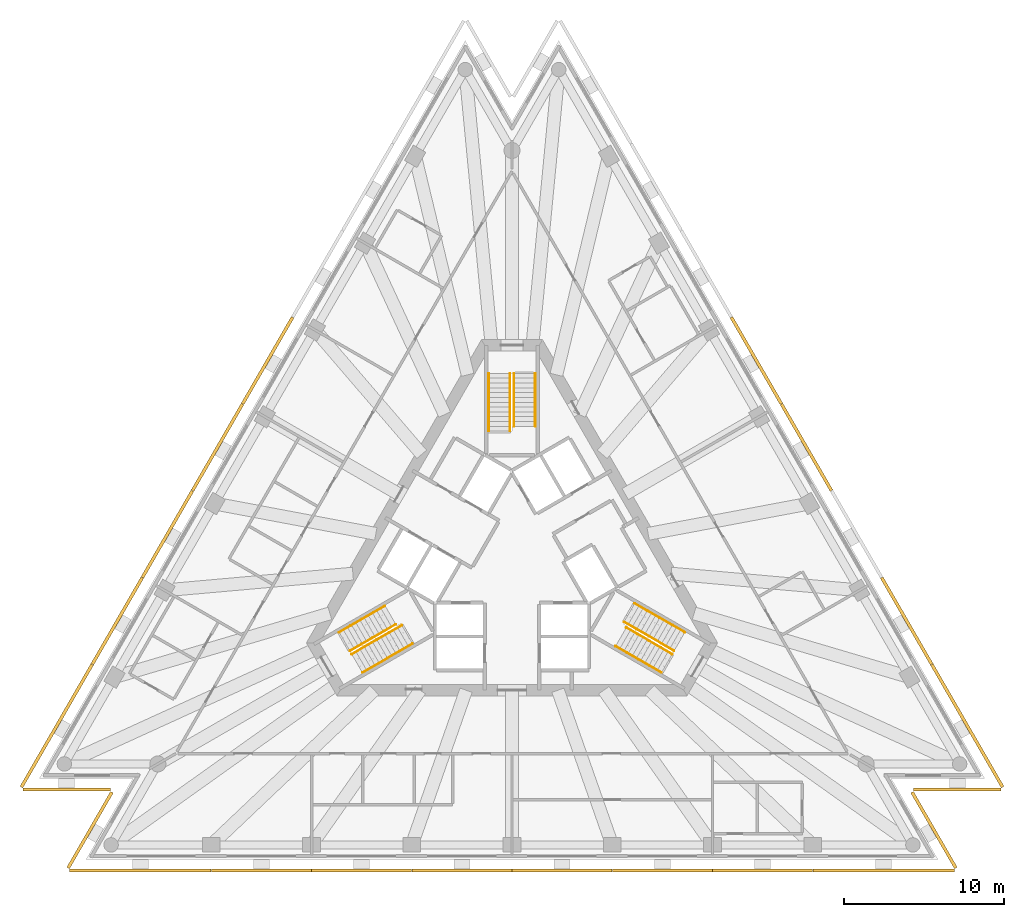
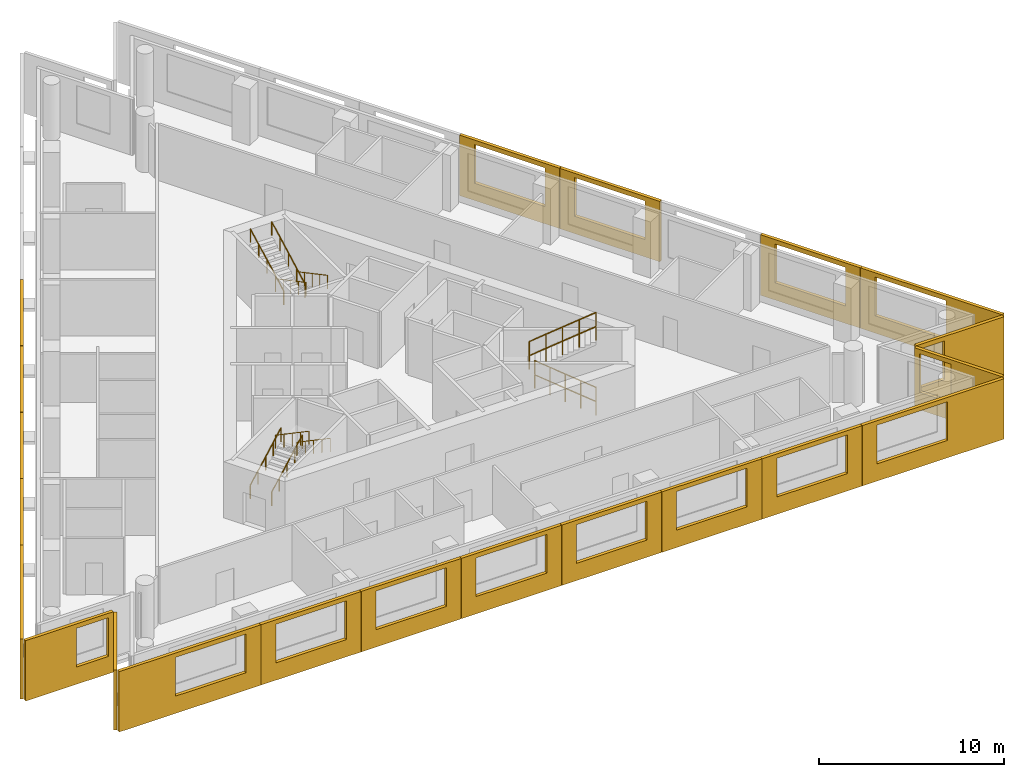
# One storey, part 9 of 10: 21 shading devices, 12 railings, 3 elements without a shape of their own.
"""IFC4 building model written with IfcOpenShell, lengths in metres."""

from ifc_helpers import new_model, si_unit, direction, frame, origin, origin_2d, place, context, subcontext, project, spatial, polyline, circle, outline, extrude, material, layer, layer_set, type_object, element, aggregate, save


model = new_model("IFC4")

# Units and contexts
model_context = context("Model", 3, precision=1e-05, world=origin(), true_north=direction((0.0, 1.0)))
body_context = subcontext(model_context, "Body", "Model", "MODEL_VIEW")
ifc_project = project(units=[si_unit("LENGTHUNIT", "METRE"), si_unit("AREAUNIT", "SQUARE_METRE"), si_unit("VOLUMEUNIT", "CUBIC_METRE"), si_unit("PLANEANGLEUNIT", "RADIAN"), si_unit("MASSUNIT", "GRAM", prefix="KILO")], contexts=[model_context])

# Site, building, storey
site_placement = place(None, origin())
site = spatial("IfcSite", under=ifc_project, at=site_placement, CompositionType="ELEMENT")
building_placement = place(site_placement, origin())
building = spatial("IfcBuilding", under=site, at=building_placement, Name="Triada Interchange Tower", CompositionType="ELEMENT")
storey_placement = place(building_placement, frame((0.0, 0.0, 199.300048828125)))
storey = spatial("IfcBuildingStorey", under=building, at=storey_placement, Name="L46", CompositionType="ELEMENT", Elevation=199.300048828125)

# Shading devices
ifc_material_1 = material(Name="Concrete C50/60 precast", Category="concrete")
ifc_layer_1 = layer(ifc_material_1, 0.02001953125, Name="Exposed aggregate face")
ifc_layer_2 = layer(ifc_material_1, 0.179931640625, Name="Precast concrete screen")
ifc_layer_set = layer_set([ifc_layer_1, ifc_layer_2], Name="Outer skin screen panel 3980")
shading_device_type = type_object("IfcShadingDeviceType", Name="Outer skin screen panel 3980", PredefinedType="SHUTTER", material=ifc_layer_set)
shading_device_1_placement = place(storey_placement, frame((-13.590087890625, 15.050048828125, -0.2900390625), z_axis=(0.0, 0.0, 1.0), x_axis=(-0.50008886669, -0.865974090497, 0.0)))
element("IfcShadingDevice", 1, at=shading_device_1_placement, inside=storey, type_object=shading_device_type, Name="Outer skin screen panel L46 04", PredefinedType="SHUTTER", context=body_context, shape_type="SweptSolid", body=[
    extrude(outline(polyline([(0.0, 0.0), (6.228759765625, 0.0), (6.228759765625, 3.97998046875), (0.0, 3.97998046875), (0.0, 0.0)]), holes=[polyline([(0.913818359375, 1.139892578125), (0.913818359375, 3.68994140625), (5.313720703125, 3.68994140625), (5.313720703125, 1.139892578125), (0.913818359375, 1.139892578125)])]), frame((0.0, 0.0, 0.0), z_axis=(0.0, -1.0, 0.0), x_axis=(1.0, 0.0, 0.0)), (0.0, 0.0, 1.0), 0.199951171875),
])
shading_device_2_placement = place(storey_placement, frame((-16.715087890625, 9.638916015625, -0.2900390625), z_axis=(0.0, 0.0, 1.0), x_axis=(-0.499988254918, -0.866032184704, 0.0)))
element("IfcShadingDevice", 2, at=shading_device_2_placement, inside=storey, type_object=shading_device_type, Name="Outer skin screen panel L46 05", PredefinedType="SHUTTER", context=body_context, shape_type="SweptSolid", body=[
    extrude(outline(polyline([(0.0, 0.0), (6.228271484375, 0.0), (6.228271484375, 3.97998046875), (0.0, 3.97998046875), (0.0, 0.0)]), holes=[polyline([(0.91357421875, 1.139892578125), (0.91357421875, 3.68994140625), (5.313720703125, 3.68994140625), (5.313720703125, 1.139892578125), (0.91357421875, 1.139892578125)])]), frame((0.0, 0.0, 0.0), z_axis=(0.0, -1.0, 0.0), x_axis=(1.0, 0.0, 0.0)), (0.0, 0.0, 1.0), 0.199951171875),
])
shading_device_3_placement = place(storey_placement, frame((-19.839111328125, 4.22802734375, -0.2900390625), z_axis=(0.0, 0.0, 1.0), x_axis=(-0.499941881293, -0.866058956036, 0.0)))
element("IfcShadingDevice", 3, at=shading_device_3_placement, inside=storey, type_object=shading_device_type, Name="Outer skin screen panel L46 06", PredefinedType="SHUTTER", context=body_context, shape_type="SweptSolid", body=[
    extrude(outline(polyline([(0.0, 0.0), (6.228271484375, 0.0), (6.228271484375, 3.97998046875), (0.0, 3.97998046875), (0.0, 0.0)]), holes=[polyline([(0.914306640625, 1.139892578125), (0.914306640625, 3.68994140625), (5.314208984375, 3.68994140625), (5.314208984375, 1.139892578125), (0.914306640625, 1.139892578125)])]), frame((0.0, 0.0, 0.0), z_axis=(0.0, -1.0, 0.0), x_axis=(1.0, 0.0, 0.0)), (0.0, 0.0, 1.0), 0.199951171875),
])
shading_device_4_placement = place(storey_placement, frame((-22.962890625, -1.18310546875, -0.2900390625), z_axis=(0.0, 0.0, 1.0), x_axis=(-0.499988254918, -0.866032184704, 0.0)))
element("IfcShadingDevice", 4, at=shading_device_4_placement, inside=storey, type_object=shading_device_type, Name="Outer skin screen panel L46 07", PredefinedType="SHUTTER", context=body_context, shape_type="SweptSolid", body=[
    extrude(outline(polyline([(0.0, 0.0), (6.228271484375, 0.0), (6.228271484375, 3.97998046875), (0.0, 3.97998046875), (0.0, 0.0)]), holes=[polyline([(0.9140625, 1.139892578125), (0.9140625, 3.68994140625), (5.314208984375, 3.68994140625), (5.314208984375, 1.139892578125), (0.9140625, 1.139892578125)])]), frame((0.0, 0.0, 0.0), z_axis=(0.0, -1.0, 0.0), x_axis=(1.0, 0.0, 0.0)), (0.0, 0.0, 1.0), 0.199951171875),
])
shading_device_5_placement = place(storey_placement, frame((-26.0869140625, -6.593994140625, -0.2900390625), z_axis=(0.0, 0.0, 1.0), x_axis=(-0.499982637805, -0.86603542762, 0.0)))
element("IfcShadingDevice", 5, at=shading_device_5_placement, inside=storey, type_object=shading_device_type, Name="Outer skin screen panel L46 08", PredefinedType="SHUTTER", context=body_context, shape_type="SweptSolid", body=[
    extrude(outline(polyline([(0.0, 0.0), (8.826416015625, 0.0), (8.826416015625, 3.97998046875), (0.0, 3.97998046875), (0.0, 0.0)]), holes=[polyline([(0.913818359375, 1.139892578125), (0.913818359375, 3.68994140625), (5.31396484375, 3.68994140625), (5.31396484375, 1.139892578125), (0.913818359375, 1.139892578125)])]), frame((0.0, 0.0, 0.0), z_axis=(0.0, -1.0, 0.0), x_axis=(1.0, 0.0, 0.0)), (0.0, 0.0, 1.0), 0.199951171875),
])
shading_device_6_placement = place(storey_placement, frame((-30.4951171875, -14.2470703125, -0.2900390625), z_axis=(0.0, 0.0, 1.0), x_axis=(1.0, 0.0, 0.0)))
element("IfcShadingDevice", 6, at=shading_device_6_placement, inside=storey, type_object=shading_device_type, Name="Outer skin screen panel L46 09", PredefinedType="SHUTTER", context=body_context, shape_type="SweptSolid", body=[
    extrude(outline(polyline([(0.0, 0.0), (5.461181640625, 0.0), (5.461181640625, 3.97998046875), (0.0, 3.97998046875), (0.0, 0.0)]), holes=[polyline([(3.175048828125, 1.139892578125), (3.175048828125, 3.68994140625), (5.160888671875, 3.68994140625), (5.160888671875, 1.139892578125), (3.175048828125, 1.139892578125)])]), frame((0.0, 0.0, 0.0), z_axis=(0.0, -1.0, 0.0), x_axis=(1.0, 0.0, 0.0)), (0.0, 0.0, 1.0), 0.199951171875),
])
shading_device_7_placement = place(storey_placement, frame((-24.85498046875, -14.555908203125, -0.2900390625), z_axis=(0.0, 0.0, 1.0), x_axis=(-0.500013942463, -0.86601735395, 0.0)))
element("IfcShadingDevice", 7, at=shading_device_7_placement, inside=storey, type_object=shading_device_type, Name="Outer skin screen panel L46 10", PredefinedType="SHUTTER", context=body_context, shape_type="SweptSolid", body=[
    extrude(outline(polyline([(0.0, 0.0), (5.461669921875, 0.0), (5.461669921875, 3.97998046875), (0.0, 3.97998046875), (0.0, 0.0)]), holes=[polyline([(0.300048828125, 1.139892578125), (0.300048828125, 3.68994140625), (1.758056640625, 3.68994140625), (1.758056640625, 1.139892578125), (0.300048828125, 1.139892578125)])]), frame((0.0, 0.0, 0.0), z_axis=(0.0, -1.0, 0.0), x_axis=(1.0, 0.0, 0.0)), (0.0, 0.0, 1.0), 0.199951171875),
])
shading_device_8_placement = place(storey_placement, frame((-27.5810546875, -19.294921875, -0.2900390625), z_axis=(0.0, 0.0, 1.0), x_axis=(1.0, 0.0, 0.0)))
element("IfcShadingDevice", 8, at=shading_device_8_placement, inside=storey, type_object=shading_device_type, Name="Outer skin screen panel L46 11", PredefinedType="SHUTTER", context=body_context, shape_type="SweptSolid", body=[
    extrude(outline(polyline([(0.0, 0.0), (8.826171875, 0.0), (8.826171875, 3.97998046875), (0.0, 3.97998046875), (0.0, 0.0)]), holes=[polyline([(3.511962890625, 1.139892578125), (3.511962890625, 3.68994140625), (7.912109375, 3.68994140625), (7.912109375, 1.139892578125), (3.511962890625, 1.139892578125)])]), frame((0.0, 0.0, 0.0), z_axis=(0.0, -1.0, 0.0), x_axis=(1.0, 0.0, 0.0)), (0.0, 0.0, 1.0), 0.199951171875),
])
shading_device_9_placement = place(storey_placement, frame((-18.735107421875, -19.294921875, -0.2900390625), z_axis=(0.0, 0.0, 1.0), x_axis=(1.0, 0.0, 0.0)))
element("IfcShadingDevice", 9, at=shading_device_9_placement, inside=storey, type_object=shading_device_type, Name="Outer skin screen panel L46 12", PredefinedType="SHUTTER", context=body_context, shape_type="SweptSolid", body=[
    extrude(outline(polyline([(0.0, 0.0), (6.22900390625, 0.0), (6.22900390625, 3.97998046875), (0.0, 3.97998046875), (0.0, 0.0)]), holes=[polyline([(0.913818359375, 1.139892578125), (0.913818359375, 3.68994140625), (5.313720703125, 3.68994140625), (5.313720703125, 1.139892578125), (0.913818359375, 1.139892578125)])]), frame((0.0, 0.0, 0.0), z_axis=(0.0, -1.0, 0.0), x_axis=(1.0, 0.0, 0.0)), (0.0, 0.0, 1.0), 0.199951171875),
])
shading_device_10_placement = place(storey_placement, frame((-12.486083984375, -19.294921875, -0.2900390625), z_axis=(0.0, 0.0, 1.0), x_axis=(1.0, 0.0, 0.0)))
element("IfcShadingDevice", 10, at=shading_device_10_placement, inside=storey, type_object=shading_device_type, Name="Outer skin screen panel L46 13", PredefinedType="SHUTTER", context=body_context, shape_type="SweptSolid", body=[
    extrude(outline(polyline([(0.0, 0.0), (6.22802734375, 0.0), (6.22802734375, 3.97998046875), (0.0, 3.97998046875), (0.0, 0.0)]), holes=[polyline([(0.91455078125, 1.139892578125), (0.91455078125, 3.68994140625), (5.314453125, 3.68994140625), (5.314453125, 1.139892578125), (0.91455078125, 1.139892578125)])]), frame((0.0, 0.0, 0.0), z_axis=(0.0, -1.0, 0.0), x_axis=(1.0, 0.0, 0.0)), (0.0, 0.0, 1.0), 0.199951171875),
])
shading_device_11_placement = place(storey_placement, frame((-6.238037109375, -19.294921875, -0.2900390625), z_axis=(0.0, 0.0, 1.0), x_axis=(1.0, 0.0, 0.0)))
element("IfcShadingDevice", 11, at=shading_device_11_placement, inside=storey, type_object=shading_device_type, Name="Outer skin screen panel L46 14", PredefinedType="SHUTTER", context=body_context, shape_type="SweptSolid", body=[
    extrude(outline(polyline([(0.0, 0.0), (6.22802734375, 0.0), (6.22802734375, 3.97998046875), (0.0, 3.97998046875), (0.0, 0.0)]), holes=[polyline([(0.914306640625, 1.139892578125), (0.914306640625, 3.68994140625), (5.314208984375, 3.68994140625), (5.314208984375, 1.139892578125), (0.914306640625, 1.139892578125)])]), frame((0.0, 0.0, 0.0), z_axis=(0.0, -1.0, 0.0), x_axis=(1.0, 0.0, 0.0)), (0.0, 0.0, 1.0), 0.199951171875),
])
shading_device_12_placement = place(storey_placement, frame((0.010009765625, -19.294921875, -0.2900390625), z_axis=(0.0, 0.0, 1.0), x_axis=(1.0, 0.0, 0.0)))
element("IfcShadingDevice", 12, at=shading_device_12_placement, inside=storey, type_object=shading_device_type, Name="Outer skin screen panel L46 15", PredefinedType="SHUTTER", context=body_context, shape_type="SweptSolid", body=[
    extrude(outline(polyline([(0.0, 0.0), (6.22802734375, 0.0), (6.22802734375, 3.97998046875), (0.0, 3.97998046875), (0.0, 0.0)]), holes=[polyline([(0.9140625, 1.139892578125), (0.9140625, 3.68994140625), (5.31396484375, 3.68994140625), (5.31396484375, 1.139892578125), (0.9140625, 1.139892578125)])]), frame((0.0, 0.0, 0.0), z_axis=(0.0, -1.0, 0.0), x_axis=(1.0, 0.0, 0.0)), (0.0, 0.0, 1.0), 0.199951171875),
])
shading_device_13_placement = place(storey_placement, frame((6.258056640625, -19.294921875, -0.2900390625), z_axis=(0.0, 0.0, 1.0), x_axis=(1.0, 0.0, 0.0)))
element("IfcShadingDevice", 13, at=shading_device_13_placement, inside=storey, type_object=shading_device_type, Name="Outer skin screen panel L46 16", PredefinedType="SHUTTER", context=body_context, shape_type="SweptSolid", body=[
    extrude(outline(polyline([(0.0, 0.0), (6.22900390625, 0.0), (6.22900390625, 3.97998046875), (0.0, 3.97998046875), (0.0, 0.0)]), holes=[polyline([(0.913818359375, 1.139892578125), (0.913818359375, 3.68994140625), (5.313720703125, 3.68994140625), (5.313720703125, 1.139892578125), (0.913818359375, 1.139892578125)])]), frame((0.0, 0.0, 0.0), z_axis=(0.0, -1.0, 0.0), x_axis=(1.0, 0.0, 0.0)), (0.0, 0.0, 1.0), 0.199951171875),
])
shading_device_14_placement = place(storey_placement, frame((12.507080078125, -19.294921875, -0.2900390625), z_axis=(0.0, 0.0, 1.0), x_axis=(1.0, 0.0, 0.0)))
element("IfcShadingDevice", 14, at=shading_device_14_placement, inside=storey, type_object=shading_device_type, Name="Outer skin screen panel L46 17", PredefinedType="SHUTTER", context=body_context, shape_type="SweptSolid", body=[
    extrude(outline(polyline([(0.0, 0.0), (6.22802734375, 0.0), (6.22802734375, 3.97998046875), (0.0, 3.97998046875), (0.0, 0.0)]), holes=[polyline([(0.91455078125, 1.139892578125), (0.91455078125, 3.68994140625), (5.314453125, 3.68994140625), (5.314453125, 1.139892578125), (0.91455078125, 1.139892578125)])]), frame((0.0, 0.0, 0.0), z_axis=(0.0, -1.0, 0.0), x_axis=(1.0, 0.0, 0.0)), (0.0, 0.0, 1.0), 0.199951171875),
])
shading_device_15_placement = place(storey_placement, frame((18.7548828125, -19.294921875, -0.2900390625), z_axis=(0.0, 0.0, 1.0), x_axis=(1.0, 0.0, 0.0)))
element("IfcShadingDevice", 15, at=shading_device_15_placement, inside=storey, type_object=shading_device_type, Name="Outer skin screen panel L46 18", PredefinedType="SHUTTER", context=body_context, shape_type="SweptSolid", body=[
    extrude(outline(polyline([(0.0, 0.0), (8.826171875, 0.0), (8.826171875, 3.97998046875), (0.0, 3.97998046875), (0.0, 0.0)]), holes=[polyline([(0.914306640625, 1.139892578125), (0.914306640625, 3.68994140625), (5.314208984375, 3.68994140625), (5.314208984375, 1.139892578125), (0.914306640625, 1.139892578125)])]), frame((0.0, 0.0, 0.0), z_axis=(0.0, -1.0, 0.0), x_axis=(1.0, 0.0, 0.0)), (0.0, 0.0, 1.0), 0.199951171875),
])
shading_device_16_placement = place(storey_placement, frame((27.5859375, -19.285888671875, -0.2900390625), z_axis=(0.0, 0.0, 1.0), x_axis=(-0.500013942463, 0.86601735395, 0.0)))
element("IfcShadingDevice", 16, at=shading_device_16_placement, inside=storey, type_object=shading_device_type, Name="Outer skin screen panel L46 19", PredefinedType="SHUTTER", context=body_context, shape_type="SweptSolid", body=[
    extrude(outline(polyline([(0.0, 0.0), (5.461669921875, 0.0), (5.461669921875, 3.97998046875), (0.0, 3.97998046875), (0.0, 0.0)]), holes=[polyline([(3.17529296875, 1.139892578125), (3.17529296875, 3.68994140625), (5.162109375, 3.68994140625), (5.162109375, 1.139892578125), (3.17529296875, 1.139892578125)])]), frame((0.0, 0.0, 0.0), z_axis=(0.0, -1.0, 0.0), x_axis=(1.0, 0.0, 0.0)), (0.0, 0.0, 1.0), 0.199951171875),
])
shading_device_17_placement = place(storey_placement, frame((25.033935546875, -14.2470703125, -0.2900390625), z_axis=(0.0, 0.0, 1.0), x_axis=(1.0, 0.0, 0.0)))
element("IfcShadingDevice", 17, at=shading_device_17_placement, inside=storey, type_object=shading_device_type, Name="Outer skin screen panel L46 20", PredefinedType="SHUTTER", context=body_context, shape_type="SweptSolid", body=[
    extrude(outline(polyline([(0.0, 0.0), (5.461181640625, 0.0), (5.461181640625, 3.97998046875), (0.0, 3.97998046875), (0.0, 0.0)]), holes=[polyline([(0.300048828125, 1.139892578125), (0.300048828125, 3.68994140625), (1.758056640625, 3.68994140625), (1.758056640625, 1.139892578125), (0.300048828125, 1.139892578125)])]), frame((0.0, 0.0, 0.0), z_axis=(0.0, -1.0, 0.0), x_axis=(1.0, 0.0, 0.0)), (0.0, 0.0, 1.0), 0.199951171875),
])
shading_device_18_placement = place(storey_placement, frame((30.5, -14.238037109375, -0.2900390625), z_axis=(0.0, 0.0, 1.0), x_axis=(-0.499982637805, 0.86603542762, 0.0)))
element("IfcShadingDevice", 18, at=shading_device_18_placement, inside=storey, type_object=shading_device_type, Name="Outer skin screen panel L46 21", PredefinedType="SHUTTER", context=body_context, shape_type="SweptSolid", body=[
    extrude(outline(polyline([(0.0, 0.0), (8.826416015625, 0.0), (8.826416015625, 3.97998046875), (0.0, 3.97998046875), (0.0, 0.0)]), holes=[polyline([(3.51220703125, 1.139892578125), (3.51220703125, 3.68994140625), (7.912353515625, 3.68994140625), (7.912353515625, 1.139892578125), (3.51220703125, 1.139892578125)])]), frame((0.0, 0.0, 0.0), z_axis=(0.0, -1.0, 0.0), x_axis=(1.0, 0.0, 0.0)), (0.0, 0.0, 1.0), 0.199951171875),
])
shading_device_19_placement = place(storey_placement, frame((26.076904296875, -6.576904296875, -0.2900390625), z_axis=(0.0, 0.0, 1.0), x_axis=(-0.499988254918, 0.866032184704, 0.0)))
element("IfcShadingDevice", 19, at=shading_device_19_placement, inside=storey, type_object=shading_device_type, Name="Outer skin screen panel L46 22", PredefinedType="SHUTTER", context=body_context, shape_type="SweptSolid", body=[
    extrude(outline(polyline([(0.0, 0.0), (6.228271484375, 0.0), (6.228271484375, 3.97998046875), (0.0, 3.97998046875), (0.0, 0.0)]), holes=[polyline([(0.9140625, 1.139892578125), (0.9140625, 3.68994140625), (5.31396484375, 3.68994140625), (5.31396484375, 1.139892578125), (0.9140625, 1.139892578125)])]), frame((0.0, 0.0, 0.0), z_axis=(0.0, -1.0, 0.0), x_axis=(1.0, 0.0, 0.0)), (0.0, 0.0, 1.0), 0.199951171875),
])
shading_device_20_placement = place(storey_placement, frame((19.8291015625, 4.2451171875, -0.2900390625), z_axis=(0.0, 0.0, 1.0), x_axis=(-0.499988254918, 0.866032184704, 0.0)))
element("IfcShadingDevice", 20, at=shading_device_20_placement, inside=storey, type_object=shading_device_type, Name="Outer skin screen panel L46 24", PredefinedType="SHUTTER", context=body_context, shape_type="SweptSolid", body=[
    extrude(outline(polyline([(0.0, 0.0), (6.228271484375, 0.0), (6.228271484375, 3.97998046875), (0.0, 3.97998046875), (0.0, 0.0)]), holes=[polyline([(0.91455078125, 1.139892578125), (0.91455078125, 3.68994140625), (5.314453125, 3.68994140625), (5.314453125, 1.139892578125), (0.91455078125, 1.139892578125)])]), frame((0.0, 0.0, 0.0), z_axis=(0.0, -1.0, 0.0), x_axis=(1.0, 0.0, 0.0)), (0.0, 0.0, 1.0), 0.199951171875),
])
shading_device_21_placement = place(storey_placement, frame((16.705078125, 9.656005859375, -0.2900390625), z_axis=(0.0, 0.0, 1.0), x_axis=(-0.50008886669, 0.865974090497, 0.0)))
element("IfcShadingDevice", 21, at=shading_device_21_placement, inside=storey, type_object=shading_device_type, Name="Outer skin screen panel L46 25", PredefinedType="SHUTTER", context=body_context, shape_type="SweptSolid", body=[
    extrude(outline(polyline([(0.0, 0.0), (6.228759765625, 0.0), (6.228759765625, 3.97998046875), (0.0, 3.97998046875), (0.0, 0.0)]), holes=[polyline([(0.914306640625, 1.139892578125), (0.914306640625, 3.68994140625), (5.314208984375, 3.68994140625), (5.314208984375, 1.139892578125), (0.914306640625, 1.139892578125)])]), frame((0.0, 0.0, 0.0), z_axis=(0.0, -1.0, 0.0), x_axis=(1.0, 0.0, 0.0)), (0.0, 0.0, 1.0), 0.199951171875),
])

# Stair, railings
ifc_material_2 = material(Name="Concrete C35/45", Category="concrete")
stair_type = type_object("IfcStairType", Name="HALF TURN STAIR 1400", PredefinedType="HALF_TURN_STAIR", material=ifc_material_2)
stair_1_placement = place(storey_placement, origin())
stair_1 = element("IfcStair", 22, at=stair_1_placement, inside=storey, type_object=stair_type, Name="Exit stair S44-1", PredefinedType="HALF_TURN_STAIR")
ifc_material_3 = material(Name="Stainless steel 1.4301", Category="steel")
railing_type = type_object("IfcRailingType", Name="STAIR HANDRAIL 900", PredefinedType="HANDRAIL", material=ifc_material_3)
railing_1_placement = place(storey_placement, frame((1.449951171875, 11.60009765625, 0.159912109375)))
railing_1 = element("IfcRailing", 23, at=railing_1_placement, type_object=railing_type, Name="Handrail S44-1 1W", PredefinedType="HANDRAIL", context=body_context, shape_type="SweptSolid", body=[
    extrude(circle(Radius=0.02392578125, at=origin_2d()), frame((0.0, 0.0, 0.8759765625), z_axis=(0.0, -0.882354748157, 0.47058484719), x_axis=(1.0, 0.0, 0.0)), (0.0, 0.0, 1.0), 3.739990234375),
    extrude(circle(Radius=0.02099609375, at=origin_2d()), origin(), (0.0, 0.0, 1.0), 0.851806640625),
    extrude(circle(Radius=0.02099609375, at=origin_2d()), frame((0.0, -0.824951171875, 0.43994140625)), (0.0, 0.0, 1.0), 0.851806640625),
    extrude(circle(Radius=0.02099609375, at=origin_2d()), frame((0.0, -1.64990234375, 0.8798828125)), (0.0, 0.0, 1.0), 0.851806640625),
    extrude(circle(Radius=0.02099609375, at=origin_2d()), frame((0.0, -2.47509765625, 1.320068359375)), (0.0, 0.0, 1.0), 0.851806640625),
    extrude(circle(Radius=0.02099609375, at=origin_2d()), frame((0.0, -3.300048828125, 1.760009765625)), (0.0, 0.0, 1.0), 0.851806640625),
])
railing_2_placement = place(storey_placement, frame((0.1201171875, 11.60009765625, 0.159912109375)))
railing_2 = element("IfcRailing", 24, at=railing_2_placement, type_object=railing_type, Name="Handrail S44-1 1C", PredefinedType="HANDRAIL", context=body_context, shape_type="SweptSolid", body=[
    extrude(circle(Radius=0.02392578125, at=origin_2d()), frame((0.0, 0.0, 0.8759765625), z_axis=(0.0, -0.882354748157, 0.47058484719), x_axis=(1.0, 0.0, 0.0)), (0.0, 0.0, 1.0), 3.739990234375),
    extrude(circle(Radius=0.02099609375, at=origin_2d()), origin(), (0.0, 0.0, 1.0), 0.851806640625),
    extrude(circle(Radius=0.02099609375, at=origin_2d()), frame((0.0, -0.824951171875, 0.43994140625)), (0.0, 0.0, 1.0), 0.851806640625),
    extrude(circle(Radius=0.02099609375, at=origin_2d()), frame((0.0, -1.64990234375, 0.8798828125)), (0.0, 0.0, 1.0), 0.851806640625),
    extrude(circle(Radius=0.02099609375, at=origin_2d()), frame((0.0, -2.47509765625, 1.320068359375)), (0.0, 0.0, 1.0), 0.851806640625),
    extrude(circle(Radius=0.02099609375, at=origin_2d()), frame((0.0, -3.300048828125, 1.760009765625)), (0.0, 0.0, 1.0), 0.851806640625),
])
railing_3_placement = place(storey_placement, frame((-1.449951171875, 8.0, 2.079833984375)))
railing_3 = element("IfcRailing", 25, at=railing_3_placement, type_object=railing_type, Name="Handrail S44-1 2W", PredefinedType="HANDRAIL", context=body_context, shape_type="SweptSolid", body=[
    extrude(circle(Radius=0.02392578125, at=origin_2d()), frame((0.0, 0.0, 0.8759765625), z_axis=(0.0, 0.882341346394, 0.470609974867), x_axis=(-1.0, 0.0, 0.0)), (0.0, 0.0, 1.0), 4.080078125),
    extrude(circle(Radius=0.02099609375, at=origin_2d()), origin(), (0.0, 0.0, 1.0), 0.851806640625),
    extrude(circle(Radius=0.02099609375, at=origin_2d()), frame((0.0, 0.89990234375, 0.47998046875)), (0.0, 0.0, 1.0), 0.851806640625),
    extrude(circle(Radius=0.02099609375, at=origin_2d()), frame((0.0, 1.800048828125, 0.9599609375)), (0.0, 0.0, 1.0), 0.851806640625),
    extrude(circle(Radius=0.02099609375, at=origin_2d()), frame((0.0, 2.7001953125, 1.440185546875)), (0.0, 0.0, 1.0), 0.851806640625),
    extrude(circle(Radius=0.02099609375, at=origin_2d()), frame((0.0, 3.60009765625, 1.920166015625)), (0.0, 0.0, 1.0), 0.851806640625),
])
railing_4_placement = place(storey_placement, frame((-0.1201171875, 8.0, 2.079833984375)))
railing_4 = element("IfcRailing", 26, at=railing_4_placement, type_object=railing_type, Name="Handrail S44-1 2C", PredefinedType="HANDRAIL", context=body_context, shape_type="SweptSolid", body=[
    extrude(circle(Radius=0.02392578125, at=origin_2d()), frame((0.0, 0.0, 0.8759765625), z_axis=(0.0, 0.882341346394, 0.470609974867), x_axis=(-1.0, 0.0, 0.0)), (0.0, 0.0, 1.0), 4.080078125),
    extrude(circle(Radius=0.02099609375, at=origin_2d()), origin(), (0.0, 0.0, 1.0), 0.851806640625),
    extrude(circle(Radius=0.02099609375, at=origin_2d()), frame((0.0, 0.89990234375, 0.47998046875)), (0.0, 0.0, 1.0), 0.851806640625),
    extrude(circle(Radius=0.02099609375, at=origin_2d()), frame((0.0, 1.800048828125, 0.9599609375)), (0.0, 0.0, 1.0), 0.851806640625),
    extrude(circle(Radius=0.02099609375, at=origin_2d()), frame((0.0, 2.7001953125, 1.440185546875)), (0.0, 0.0, 1.0), 0.851806640625),
    extrude(circle(Radius=0.02099609375, at=origin_2d()), frame((0.0, 3.60009765625, 1.920166015625)), (0.0, 0.0, 1.0), 0.851806640625),
])
aggregate(stair_1, [railing_1, railing_2, railing_3, railing_4])

stair_2_placement = place(storey_placement, origin())
stair_2 = element("IfcStair", 27, at=stair_2_placement, inside=storey, type_object=stair_type, Name="Exit stair S44-2", PredefinedType="HALF_TURN_STAIR")
railing_5_placement = place(storey_placement, frame((-10.77099609375, -4.5439453125, 0.159912109375)))
railing_5 = element("IfcRailing", 28, at=railing_5_placement, type_object=railing_type, Name="Handrail S44-2 1W", PredefinedType="HANDRAIL", context=body_context, shape_type="SweptSolid", body=[
    extrude(circle(Radius=0.02392578125, at=origin_2d()), frame((0.0, 0.0, 0.8759765625), z_axis=(0.764150854273, 0.441152526326, 0.470593158077), x_axis=(-0.499974350878, 0.866040211805, 0.0)), (0.0, 0.0, 1.0), 3.739990234375),
    extrude(circle(Radius=0.02099609375, at=origin_2d()), origin(), (0.0, 0.0, 1.0), 0.851806640625),
    extrude(circle(Radius=0.02099609375, at=origin_2d()), frame((0.71435546875, 0.41259765625, 0.43994140625)), (0.0, 0.0, 1.0), 0.851806640625),
    extrude(circle(Radius=0.02099609375, at=origin_2d()), frame((1.428955078125, 0.824951171875, 0.8798828125)), (0.0, 0.0, 1.0), 0.851806640625),
    extrude(circle(Radius=0.02099609375, at=origin_2d()), frame((2.1435546875, 1.2373046875, 1.320068359375)), (0.0, 0.0, 1.0), 0.851806640625),
    extrude(circle(Radius=0.02099609375, at=origin_2d()), frame((2.85791015625, 1.64990234375, 1.760009765625)), (0.0, 0.0, 1.0), 0.851806640625),
])
railing_6_placement = place(storey_placement, frame((-10.10595703125, -5.696044921875, 0.159912109375)))
railing_6 = element("IfcRailing", 29, at=railing_6_placement, type_object=railing_type, Name="Handrail S44-2 1C", PredefinedType="HANDRAIL", context=body_context, shape_type="SweptSolid", body=[
    extrude(circle(Radius=0.02392578125, at=origin_2d()), frame((0.0, 0.0, 0.8759765625), z_axis=(0.76412884773, 0.441205098395, 0.470579605611), x_axis=(-0.50002983664, 0.866008176907, 0.0)), (0.0, 0.0, 1.0), 3.739990234375),
    extrude(circle(Radius=0.02099609375, at=origin_2d()), origin(), (0.0, 0.0, 1.0), 0.851806640625),
    extrude(circle(Radius=0.02099609375, at=origin_2d()), frame((0.71435546875, 0.41259765625, 0.43994140625)), (0.0, 0.0, 1.0), 0.851806640625),
    extrude(circle(Radius=0.02099609375, at=origin_2d()), frame((1.428955078125, 0.8251953125, 0.8798828125)), (0.0, 0.0, 1.0), 0.851806640625),
    extrude(circle(Radius=0.02099609375, at=origin_2d()), frame((2.1435546875, 1.237548828125, 1.320068359375)), (0.0, 0.0, 1.0), 0.851806640625),
    extrude(circle(Radius=0.02099609375, at=origin_2d()), frame((2.85791015625, 1.650146484375, 1.760009765625)), (0.0, 0.0, 1.0), 0.851806640625),
])
railing_7_placement = place(storey_placement, frame((-6.202880859375, -5.256103515625, 2.079833984375)))
railing_7 = element("IfcRailing", 30, at=railing_7_placement, type_object=railing_type, Name="Handrail S44-2 2W", PredefinedType="HANDRAIL", context=body_context, shape_type="SweptSolid", body=[
    extrude(circle(Radius=0.02392578125, at=origin_2d()), frame((0.0, 0.0, 0.8759765625), z_axis=(-0.764189758314, -0.441090424232, 0.470588196769), x_axis=(0.499902469156, -0.866081705922, 0.0)), (0.0, 0.0, 1.0), 4.080322265625),
    extrude(circle(Radius=0.02099609375, at=origin_2d()), origin(), (0.0, 0.0, 1.0), 0.851806640625),
    extrude(circle(Radius=0.02099609375, at=origin_2d()), frame((-0.779541015625, -0.449951171875, 0.47998046875)), (0.0, 0.0, 1.0), 0.851806640625),
    extrude(circle(Radius=0.02099609375, at=origin_2d()), frame((-1.55908203125, -0.89990234375, 0.9599609375)), (0.0, 0.0, 1.0), 0.851806640625),
    extrude(circle(Radius=0.02099609375, at=origin_2d()), frame((-2.338623046875, -1.349853515625, 1.440185546875)), (0.0, 0.0, 1.0), 0.851806640625),
    extrude(circle(Radius=0.02099609375, at=origin_2d()), frame((-3.1181640625, -1.7998046875, 1.920166015625)), (0.0, 0.0, 1.0), 0.851806640625),
])
railing_8_placement = place(storey_placement, frame((-6.867919921875, -4.10400390625, 2.079833984375)))
railing_8 = element("IfcRailing", 31, at=railing_8_placement, type_object=railing_type, Name="Handrail S44-2 2C", PredefinedType="HANDRAIL", context=body_context, shape_type="SweptSolid", body=[
    extrude(circle(Radius=0.02392578125, at=origin_2d()), frame((0.0, 0.0, 0.8759765625), z_axis=(-0.764169589359, -0.441138614339, 0.470575776723), x_axis=(0.49995333141, -0.866052346231, 0.0)), (0.0, 0.0, 1.0), 4.08056640625),
    extrude(circle(Radius=0.02099609375, at=origin_2d()), origin(), (0.0, 0.0, 1.0), 0.851806640625),
    extrude(circle(Radius=0.02099609375, at=origin_2d()), frame((-0.779541015625, -0.449951171875, 0.47998046875)), (0.0, 0.0, 1.0), 0.851806640625),
    extrude(circle(Radius=0.02099609375, at=origin_2d()), frame((-1.55908203125, -0.89990234375, 0.9599609375)), (0.0, 0.0, 1.0), 0.851806640625),
    extrude(circle(Radius=0.02099609375, at=origin_2d()), frame((-2.338623046875, -1.35009765625, 1.440185546875)), (0.0, 0.0, 1.0), 0.851806640625),
    extrude(circle(Radius=0.02099609375, at=origin_2d()), frame((-3.1181640625, -1.800048828125, 1.920166015625)), (0.0, 0.0, 1.0), 0.851806640625),
])
aggregate(stair_2, [railing_5, railing_6, railing_7, railing_8])

stair_3_placement = place(storey_placement, origin())
stair_3 = element("IfcStair", 32, at=stair_3_placement, inside=storey, type_object=stair_type, Name="Exit stair S44-3", PredefinedType="HALF_TURN_STAIR")
railing_9_placement = place(storey_placement, frame((9.321044921875, -7.055908203125, 0.159912109375)))
railing_9 = element("IfcRailing", 33, at=railing_9_placement, type_object=railing_type, Name="Handrail S44-3 1W", PredefinedType="HANDRAIL", context=body_context, shape_type="SweptSolid", body=[
    extrude(circle(Radius=0.02392578125, at=origin_2d()), frame((0.0, 0.0, 0.8759765625), z_axis=(-0.764178012919, 0.441130521168, 0.470569684388), x_axis=(-0.499942318283, -0.866058703778, 0.0)), (0.0, 0.0, 1.0), 3.740234375),
    extrude(circle(Radius=0.02099609375, at=origin_2d()), origin(), (0.0, 0.0, 1.0), 0.851806640625),
    extrude(circle(Radius=0.02099609375, at=origin_2d()), frame((-0.714599609375, 0.41259765625, 0.43994140625)), (0.0, 0.0, 1.0), 0.851806640625),
    extrude(circle(Radius=0.02099609375, at=origin_2d()), frame((-1.42919921875, 0.824951171875, 0.8798828125)), (0.0, 0.0, 1.0), 0.851806640625),
    extrude(circle(Radius=0.02099609375, at=origin_2d()), frame((-2.1435546875, 1.2373046875, 1.320068359375)), (0.0, 0.0, 1.0), 0.851806640625),
    extrude(circle(Radius=0.02099609375, at=origin_2d()), frame((-2.858154296875, 1.64990234375, 1.760009765625)), (0.0, 0.0, 1.0), 0.851806640625),
])
railing_10_placement = place(storey_placement, frame((9.986083984375, -5.904052734375, 0.159912109375)))
railing_10 = element("IfcRailing", 34, at=railing_10_placement, type_object=railing_type, Name="Handrail S44-3 1C", PredefinedType="HANDRAIL", context=body_context, shape_type="SweptSolid", body=[
    extrude(circle(Radius=0.02392578125, at=origin_2d()), frame((0.0, 0.0, 0.8759765625), z_axis=(-0.764156007789, 0.441183091881, 0.47055613395), x_axis=(-0.49999780286, -0.8660266723, 0.0)), (0.0, 0.0, 1.0), 3.740234375),
    extrude(circle(Radius=0.02099609375, at=origin_2d()), origin(), (0.0, 0.0, 1.0), 0.851806640625),
    extrude(circle(Radius=0.02099609375, at=origin_2d()), frame((-0.714599609375, 0.41259765625, 0.43994140625)), (0.0, 0.0, 1.0), 0.851806640625),
    extrude(circle(Radius=0.02099609375, at=origin_2d()), frame((-1.42919921875, 0.8251953125, 0.8798828125)), (0.0, 0.0, 1.0), 0.851806640625),
    extrude(circle(Radius=0.02099609375, at=origin_2d()), frame((-2.1435546875, 1.237548828125, 1.320068359375)), (0.0, 0.0, 1.0), 0.851806640625),
    extrude(circle(Radius=0.02099609375, at=origin_2d()), frame((-2.858154296875, 1.650146484375, 1.760009765625)), (0.0, 0.0, 1.0), 0.851806640625),
])
railing_11_placement = place(storey_placement, frame((7.653076171875, -2.743896484375, 2.079833984375)))
railing_11 = element("IfcRailing", 35, at=railing_11_placement, type_object=railing_type, Name="Handrail S44-3 2W", PredefinedType="HANDRAIL", context=body_context, shape_type="SweptSolid", body=[
    extrude(circle(Radius=0.02392578125, at=origin_2d()), frame((0.0, 0.0, 0.8759765625), z_axis=(0.76414469501, -0.441158784458, 0.470597292793), x_axis=(0.499982693035, 0.866035395735, 0.0)), (0.0, 0.0, 1.0), 4.080322265625),
    extrude(circle(Radius=0.02099609375, at=origin_2d()), origin(), (0.0, 0.0, 1.0), 0.851806640625),
    extrude(circle(Radius=0.02099609375, at=origin_2d()), frame((0.779541015625, -0.449951171875, 0.47998046875)), (0.0, 0.0, 1.0), 0.851806640625),
    extrude(circle(Radius=0.02099609375, at=origin_2d()), frame((1.55908203125, -0.89990234375, 0.9599609375)), (0.0, 0.0, 1.0), 0.851806640625),
    extrude(circle(Radius=0.02099609375, at=origin_2d()), frame((2.33837890625, -1.35009765625, 1.440185546875)), (0.0, 0.0, 1.0), 0.851806640625),
    extrude(circle(Radius=0.02099609375, at=origin_2d()), frame((3.117919921875, -1.800048828125, 1.920166015625)), (0.0, 0.0, 1.0), 0.851806640625),
])
railing_12_placement = place(storey_placement, frame((6.988037109375, -3.89599609375, 2.079833984375)))
railing_12 = element("IfcRailing", 36, at=railing_12_placement, type_object=railing_type, Name="Handrail S44-3 2C", PredefinedType="HANDRAIL", context=body_context, shape_type="SweptSolid", body=[
    extrude(circle(Radius=0.02392578125, at=origin_2d()), frame((0.0, 0.0, 0.8759765625), z_axis=(0.76414469501, -0.441158784458, 0.470597292793), x_axis=(0.499982693035, 0.866035395735, 0.0)), (0.0, 0.0, 1.0), 4.080322265625),
    extrude(circle(Radius=0.02099609375, at=origin_2d()), origin(), (0.0, 0.0, 1.0), 0.851806640625),
    extrude(circle(Radius=0.02099609375, at=origin_2d()), frame((0.779541015625, -0.449951171875, 0.47998046875)), (0.0, 0.0, 1.0), 0.851806640625),
    extrude(circle(Radius=0.02099609375, at=origin_2d()), frame((1.55908203125, -0.89990234375, 0.9599609375)), (0.0, 0.0, 1.0), 0.851806640625),
    extrude(circle(Radius=0.02099609375, at=origin_2d()), frame((2.33837890625, -1.35009765625, 1.440185546875)), (0.0, 0.0, 1.0), 0.851806640625),
    extrude(circle(Radius=0.02099609375, at=origin_2d()), frame((3.117919921875, -1.800048828125, 1.920166015625)), (0.0, 0.0, 1.0), 0.851806640625),
])
aggregate(stair_3, [railing_9, railing_10, railing_11, railing_12])

save(model, "model.ifc")
